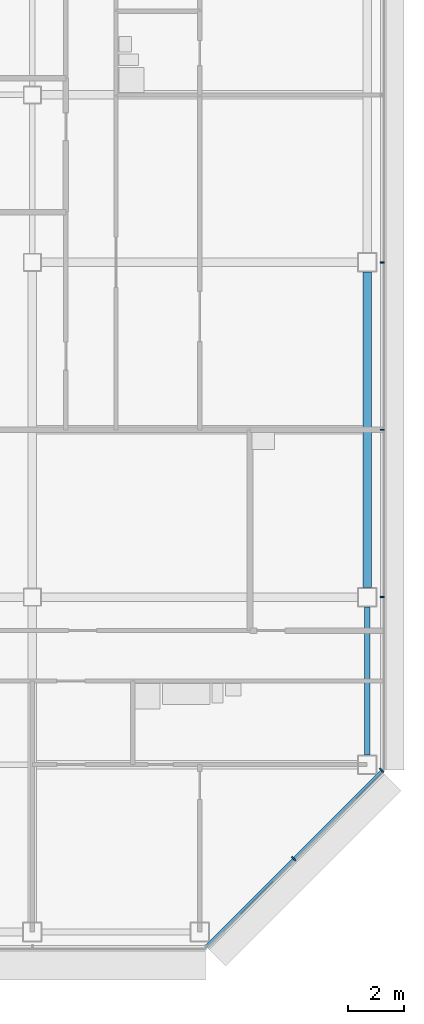
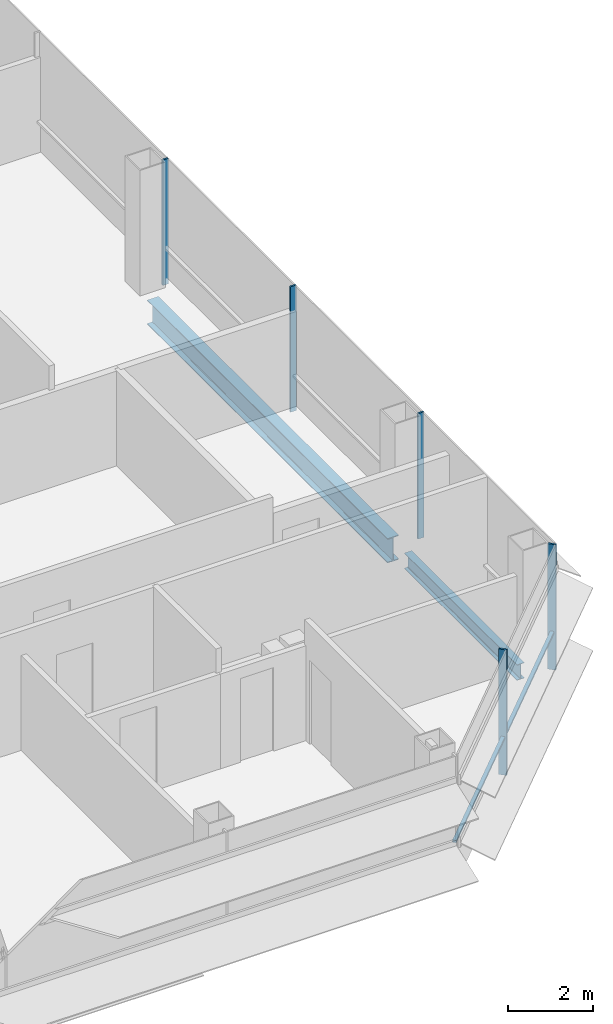
# One storey, part 15 of 26: 6 members, 2 beams, 2 elements without a shape of their own.
"""IFC4 building model written with IfcOpenShell, lengths in metres."""

from ifc_helpers import new_model, si_unit, direction, frame, origin, origin_2d, place, context, subcontext, project, spatial, rectangle, i_section, extrude, material, material_profile, profile_set, type_object, element, aggregate, save


model = new_model("IFC4")

# Units and contexts
model_context = context("Model", 3, precision=1e-05, world=origin(), true_north=direction((0.0, 1.0)))
body_context = subcontext(model_context, "Body", "Model", "MODEL_VIEW")
ifc_project = project(units=[si_unit("LENGTHUNIT", "METRE"), si_unit("AREAUNIT", "SQUARE_METRE"), si_unit("VOLUMEUNIT", "CUBIC_METRE"), si_unit("PLANEANGLEUNIT", "RADIAN"), si_unit("MASSUNIT", "GRAM", prefix="KILO")], contexts=[model_context])

# Site, building, storey
site_placement = place(None, origin())
site = spatial("IfcSite", under=ifc_project, at=site_placement, CompositionType="ELEMENT")
building_placement = place(site_placement, origin())
building = spatial("IfcBuilding", under=site, at=building_placement, Name="Sorahane Residences", CompositionType="ELEMENT")
storey_placement = place(building_placement, frame((0.0, 0.0, 151.0)))
storey = spatial("IfcBuildingStorey", under=building, at=storey_placement, Name="L34", CompositionType="ELEMENT", Elevation=151.0)

# Curtain wall, members
ifc_material_1 = material(Name="Dark low-e glass and black anodised aluminium", Category="aluminium")
curtain_wall_type_1 = type_object("IfcCurtainWallType", Name="Curtain wall CW-1 Typical unitised wall", PredefinedType="NOTDEFINED", material=ifc_material_1)
curtain_wall_1_placement = place(storey_placement, origin())
curtain_wall_1 = element("IfcCurtainWall", 1, at=curtain_wall_1_placement, inside=storey, type_object=curtain_wall_type_1, Name="CW-1 curtain wall L34 E1", PredefinedType="NOTDEFINED")
ifc_material_2 = material(Name="Black anodised aluminium", Category="aluminium")
ifc_material_profile_1 = material_profile(ifc_material_2, rectangle(XDim=0.159912109375, YDim=0.050048828125, at=origin_2d()), Name="Curtain wall mullion CW-1 black anodised aluminium 50x160")
ifc_profile_set_1 = profile_set([ifc_material_profile_1], Name="Black anodised aluminium")
member_type_1 = type_object("IfcMemberType", Name="Curtain wall mullion CW-1 black anodised aluminium 50x160", PredefinedType="MULLION", material=ifc_profile_set_1)
member_1_placement = place(storey_placement, frame((60.5400390625, 12.0, -0.179931640625), z_axis=(0.0, 0.0, 1.0), x_axis=(1.0, 0.0, 0.0)))
member_1 = element("IfcMember", 2, at=member_1_placement, type_object=member_type_1, Name="CW-1 mullion L34 E1.2", PredefinedType="MULLION", context=body_context, shape_type="SweptSolid", body=[
    extrude(rectangle(XDim=0.159912109375, YDim=0.050048828125, at=origin_2d()), origin(), (0.0, 0.0, 1.0), 3.599853515625),
])
member_2_placement = place(storey_placement, frame((60.5400390625, 18.0, -0.179931640625), z_axis=(0.0, 0.0, 1.0), x_axis=(1.0, 0.0, 0.0)))
member_2 = element("IfcMember", 3, at=member_2_placement, type_object=member_type_1, Name="CW-1 mullion L34 E1.3", PredefinedType="MULLION", context=body_context, shape_type="SweptSolid", body=[
    extrude(rectangle(XDim=0.159912109375, YDim=0.050048828125, at=origin_2d()), origin(), (0.0, 0.0, 1.0), 3.599853515625),
])
member_3_placement = place(storey_placement, frame((60.5400390625, 24.0, -0.179931640625), z_axis=(0.0, 0.0, 1.0), x_axis=(1.0, 0.0, 0.0)))
member_3 = element("IfcMember", 4, at=member_3_placement, type_object=member_type_1, Name="CW-1 mullion L34 E1.4", PredefinedType="MULLION", context=body_context, shape_type="SweptSolid", body=[
    extrude(rectangle(XDim=0.159912109375, YDim=0.050048828125, at=origin_2d()), origin(), (0.0, 0.0, 1.0), 3.599853515625),
])
aggregate(curtain_wall_1, [member_1, member_2, member_3])

ifc_material_3 = material(Name="Dark low-e glass and black anodised aluminium", Category="aluminium")
curtain_wall_type_2 = type_object("IfcCurtainWallType", Name="Curtain wall CW-2 Chamfer unitised wall", PredefinedType="NOTDEFINED", material=ifc_material_3)
curtain_wall_2_placement = place(storey_placement, origin())
curtain_wall_2 = element("IfcCurtainWall", 5, at=curtain_wall_2_placement, inside=storey, type_object=curtain_wall_type_2, Name="CW-2 curtain wall L34 SE1", PredefinedType="NOTDEFINED")
ifc_material_4 = material(Name="Black anodised aluminium", Category="aluminium")
ifc_material_profile_2 = material_profile(ifc_material_4, rectangle(XDim=0.199951171875, YDim=0.050048828125, at=origin_2d()), Name="Curtain wall mullion CW-2 black anodised aluminium 50x200")
ifc_profile_set_2 = profile_set([ifc_material_profile_2], Name="Black anodised aluminium")
member_type_2 = type_object("IfcMemberType", Name="Curtain wall mullion CW-2 black anodised aluminium 50x200", PredefinedType="MULLION", material=ifc_profile_set_2)
member_4_placement = place(storey_placement, frame((57.36767578125, 2.63232421875, -0.179931640625), z_axis=(0.0, 0.0, 1.0), x_axis=(0.707106781187, -0.707106781187, 0.0)))
member_4 = element("IfcMember", 6, at=member_4_placement, type_object=member_type_2, Name="CW-2 mullion L34 SE1.2", PredefinedType="MULLION", context=body_context, shape_type="SweptSolid", body=[
    extrude(rectangle(XDim=0.199951171875, YDim=0.050048828125, at=origin_2d()), origin(), (0.0, 0.0, 1.0), 3.599853515625),
])
member_5_placement = place(storey_placement, frame((60.525634765625, 5.790283203125, -0.179931640625), z_axis=(0.0, 0.0, 1.0), x_axis=(0.707106781187, -0.707106781187, 0.0)))
member_5 = element("IfcMember", 7, at=member_5_placement, type_object=member_type_2, Name="CW-2 mullion L34 SE1.3", PredefinedType="MULLION", context=body_context, shape_type="SweptSolid", body=[
    extrude(rectangle(XDim=0.199951171875, YDim=0.050048828125, at=origin_2d()), origin(), (0.0, 0.0, 1.0), 3.599853515625),
])
ifc_material_5 = material(Name="Black anodised aluminium", Category="aluminium")
ifc_material_profile_3 = material_profile(ifc_material_5, rectangle(XDim=0.10009765625, YDim=0.06005859375, at=origin_2d()), Name="Curtain wall transom CW-2 black anodised aluminium 60x100")
ifc_profile_set_3 = profile_set([ifc_material_profile_3], Name="Black anodised aluminium")
member_type_3 = type_object("IfcMemberType", Name="Curtain wall transom CW-2 black anodised aluminium 60x100", PredefinedType="USERDEFINED", material=ifc_profile_set_3)
member_6_placement = place(storey_placement, frame((54.234375, -0.51513671875, 0.89990234375), z_axis=(0.707106781187, 0.707106781187, 0.0), x_axis=(-0.707106781187, 0.707106781187, 0.0)))
member_6 = element("IfcMember", 8, at=member_6_placement, type_object=member_type_3, Name="CW-2 transom L34 SE1", ObjectType="TRANSOM", PredefinedType="USERDEFINED", context=body_context, shape_type="SweptSolid", body=[
    extrude(rectangle(XDim=0.10009765625, YDim=0.06005859375, at=origin_2d()), origin(), (0.0, 0.0, 1.0), 8.88232421875),
])
aggregate(curtain_wall_2, [member_4, member_5, member_6])

# Beams
ifc_material_6 = material(Name="Steel Q355B", Category="steel")
ifc_material_profile_4 = material_profile(ifc_material_6, i_section(OverallWidth=0.199951171875, OverallDepth=0.449951171875, WebThickness=0.009033203125, FlangeThickness=0.013916015625, FilletRadius=0.02001953125, at=origin_2d()), Name="HN 450x200x9x14")
ifc_profile_set_4 = profile_set([ifc_material_profile_4], Name="Steel Q355B")
beam_type_1 = type_object("IfcBeamType", Name="Steel floor beam HN 450x200x9x14 Q355B", PredefinedType="BEAM", material=ifc_profile_set_4)
beam_1_placement = place(storey_placement, frame((60.0, 6.35009765625, -0.405029296875), z_axis=(0.0, 1.0, 0.0), x_axis=(-1.0, 0.0, 0.0)))
element("IfcBeam", 9, at=beam_1_placement, inside=storey, type_object=beam_type_1, Name="Beam L34 064", PredefinedType="BEAM", context=body_context, shape_type="SweptSolid", body=[
    extrude(i_section(OverallWidth=0.199951171875, OverallDepth=0.449951171875, WebThickness=0.009033203125, FlangeThickness=0.013916015625, FilletRadius=0.02001953125, at=origin_2d()), origin(), (0.0, 0.0, 1.0), 5.2998046875),
])
ifc_material_7 = material(Name="Steel Q355B", Category="steel")
ifc_material_profile_5 = material_profile(ifc_material_7, i_section(OverallWidth=0.300048828125, OverallDepth=0.699951171875, WebThickness=0.012939453125, FlangeThickness=0.02392578125, FilletRadius=0.028076171875, at=origin_2d()), Name="HN 700x300x13x24")
ifc_profile_set_5 = profile_set([ifc_material_profile_5], Name="Steel Q355B")
beam_type_2 = type_object("IfcBeamType", Name="Steel floor beam HN 700x300x13x24 Q355B", PredefinedType="BEAM", material=ifc_profile_set_5)
beam_2_placement = place(storey_placement, frame((60.0, 12.35009765625, -0.530029296875), z_axis=(0.0, 1.0, 0.0), x_axis=(-1.0, 0.0, 0.0)))
element("IfcBeam", 10, at=beam_2_placement, inside=storey, type_object=beam_type_2, Name="Beam L34 065", PredefinedType="BEAM", context=body_context, shape_type="SweptSolid", body=[
    extrude(i_section(OverallWidth=0.300048828125, OverallDepth=0.699951171875, WebThickness=0.012939453125, FlangeThickness=0.02392578125, FilletRadius=0.028076171875, at=origin_2d()), origin(), (0.0, 0.0, 1.0), 11.2998046875),
])

save(model, "model.ifc")
